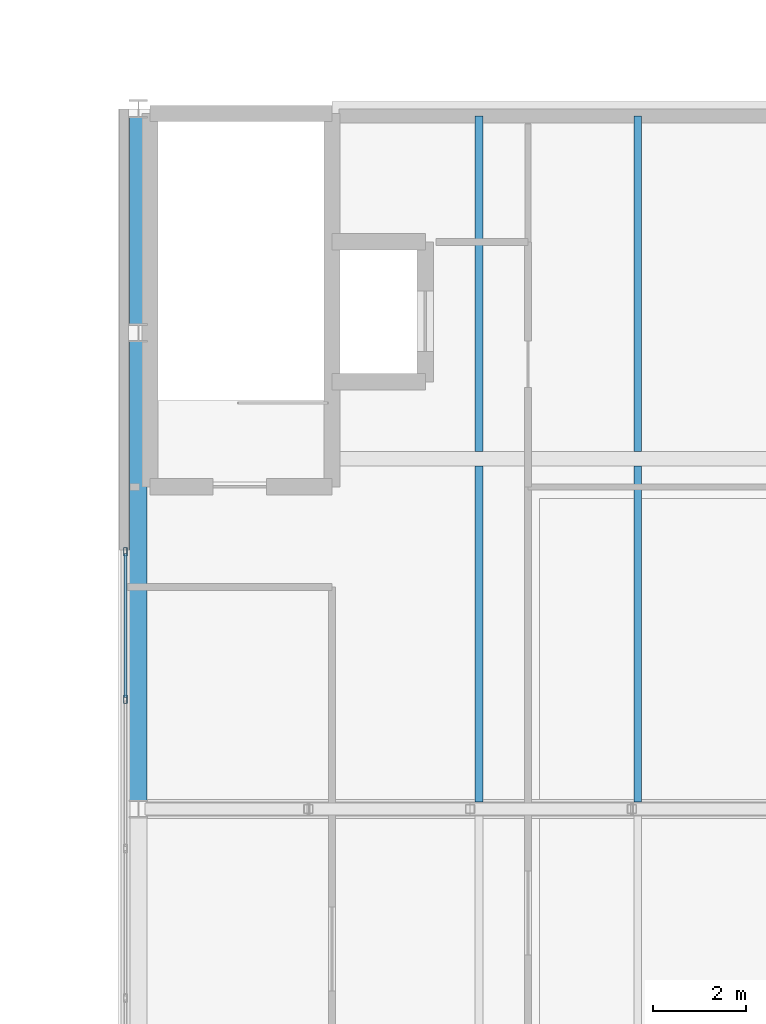
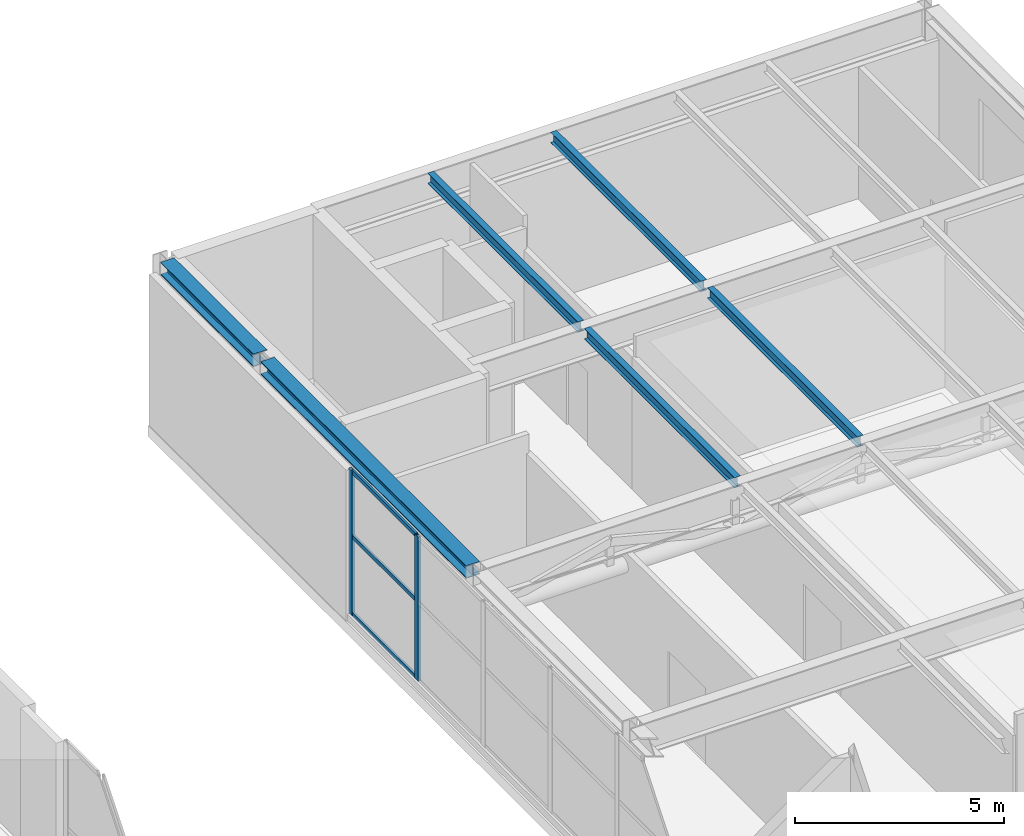
# One storey, part 15 of 27: 6 beams, 5 members, 1 element without a shape of its own.
"""IFC4 building model written with IfcOpenShell, lengths in metres."""

from ifc_helpers import new_model, si_unit, direction, frame, origin, origin_2d, place, context, subcontext, project, spatial, hollow_rectangle, i_section, extrude, material, layer, layer_set, material_profile, profile_set, type_object, element, aggregate, save


model = new_model("IFC4")

# Units and contexts
model_context = context("Model", 3, precision=1e-05, world=origin(), true_north=direction((0.0, 1.0)))
body_context = subcontext(model_context, "Body", "Model", "MODEL_VIEW")
ifc_project = project(units=[si_unit("LENGTHUNIT", "METRE"), si_unit("AREAUNIT", "SQUARE_METRE"), si_unit("VOLUMEUNIT", "CUBIC_METRE"), si_unit("PLANEANGLEUNIT", "RADIAN"), si_unit("MASSUNIT", "GRAM", prefix="KILO")], contexts=[model_context])

# Site, building, storey
site_placement = place(None, origin())
site = spatial("IfcSite", under=ifc_project, at=site_placement, CompositionType="ELEMENT")
building_placement = place(site_placement, origin())
building = spatial("IfcBuilding", under=site, at=building_placement, Name="Mersakhor Tower and Convention Hall", CompositionType="ELEMENT")
storey_placement = place(building_placement, frame((0.0, 0.0, 14.39990234375)))
storey = spatial("IfcBuildingStorey", under=building, at=storey_placement, Name="L03", CompositionType="ELEMENT", Elevation=14.39990234375)

# Beams
ifc_material_1 = material(Name="Steel S355", Category="steel")
ifc_material_profile_1 = material_profile(ifc_material_1, i_section(OverallWidth=0.165771484375, OverallDepth=0.306640625, WebThickness=0.006591796875, FlangeThickness=0.01171875, at=origin_2d()), Name="UB 305x165x46")
ifc_profile_set_1 = profile_set([ifc_material_profile_1], Name="Steel S355")
beam_type_1 = type_object("IfcBeamType", Name="BM-JST-305", PredefinedType="JOIST", material=ifc_profile_set_1)
for number, where, z_axis, x_axis, name in (
    (1, (62.800048828125, 33.40380859375, 4.646728515625), (0.0, 1.0, 0.0), (-1.0, 0.0, 0.0), "Convention L03 Composite Floor Joist CJ-5-62"),
    (2, (66.199951171875, 33.40380859375, 4.646728515625), (0.0, 1.0, 0.0), (-1.0, 0.0, 0.0), "Convention L03 Composite Floor Joist CJ-5-66"),
    (3, (62.800048828125, 40.90380859375, 4.646728515625), (0.0, 1.0, 0.0), (-1.0, 0.0, 0.0), "Convention L03 Composite Floor Joist CJ-6-62"),
    (4, (66.199951171875, 40.90380859375, 4.646728515625), (0.0, 1.0, 0.0), (-1.0, 0.0, 0.0), "Convention L03 Composite Floor Joist CJ-6-66"),
):
    element("IfcBeam", number, at=place(storey_placement, frame(where, z_axis=z_axis, x_axis=x_axis)), inside=storey, type_object=beam_type_1, Name=name, PredefinedType="JOIST", context=body_context, shape_type="SweptSolid", body=[
        extrude(i_section(OverallWidth=0.165771484375, OverallDepth=0.306640625, WebThickness=0.006591796875, FlangeThickness=0.01171875, at=origin_2d()), origin(), (0.0, 0.0, 1.0), 7.1923828125),
    ])
ifc_material_2 = material(Name="Steel S355", Category="steel")
ifc_material_profile_2 = material_profile(ifc_material_2, i_section(OverallWidth=0.374755859375, OverallDepth=0.37451171875, WebThickness=0.0166015625, FlangeThickness=0.027099609375, at=origin_2d()), Name="UC 356x368x202")
ifc_profile_set_2 = profile_set([ifc_material_profile_2], Name="Steel S355")
beam_type_2 = type_object("IfcBeamType", Name="BM-SPD-UC356", PredefinedType="SPANDREL", material=ifc_profile_set_2)
beam_1_placement = place(storey_placement, frame((55.5, 33.429931640625, 4.613037109375), z_axis=(0.0, 1.0, 0.0), x_axis=(-1.0, 0.0, 0.0)))
element("IfcBeam", 5, at=beam_1_placement, inside=storey, type_object=beam_type_2, Name="Convention L03 Edge Spandrel W5", PredefinedType="SPANDREL", context=body_context, shape_type="SweptSolid", body=[
    extrude(i_section(OverallWidth=0.374755859375, OverallDepth=0.37451171875, WebThickness=0.0166015625, FlangeThickness=0.027099609375, at=origin_2d()), origin(), (0.0, 0.0, 1.0), 9.840087890625),
])
beam_2_placement = place(storey_placement, frame((55.5, 43.6298828125, 4.613037109375), z_axis=(0.0, 1.0, 0.0), x_axis=(-1.0, 0.0, 0.0)))
element("IfcBeam", 6, at=beam_2_placement, inside=storey, type_object=beam_type_2, Name="Convention L03 Edge Spandrel W6", PredefinedType="SPANDREL", context=body_context, shape_type="SweptSolid", body=[
    extrude(i_section(OverallWidth=0.374755859375, OverallDepth=0.37451171875, WebThickness=0.0166015625, FlangeThickness=0.027099609375, at=origin_2d()), origin(), (0.0, 0.0, 1.0), 4.440185546875),
])

# Curtain wall, members
ifc_material_3 = material(Name="Dark solar low-E aluminium curtain wall", Category="aluminium")
ifc_layer = layer(ifc_material_3, 0.219970703125)
ifc_layer_set = layer_set([ifc_layer], Name="Dark solar low-E aluminium curtain wall")
curtain_wall_type = type_object("IfcCurtainWallType", Name="CW-SYS-07", PredefinedType="USERDEFINED", material=ifc_layer_set)
curtain_wall_placement = place(storey_placement, origin())
curtain_wall = element("IfcCurtainWall", 7, at=curtain_wall_placement, inside=storey, type_object=curtain_wall_type, Name="Convention L03 West Curtain Wall", ObjectType="CURTAIN WALL", PredefinedType="USERDEFINED")
ifc_material_4 = material(Name="Anodised aluminium EN AW-6063 T6", Category="aluminium")
ifc_material_profile_3 = material_profile(ifc_material_4, hollow_rectangle(XDim=0.080078125, YDim=0.179931640625, WallThickness=0.008056640625, at=origin_2d()), Name="RHS 180x80x8")
ifc_profile_set_3 = profile_set([ifc_material_profile_3], Name="Anodised aluminium EN AW-6063 T6")
member_type_1 = type_object("IfcMemberType", Name="CWM-180x80", PredefinedType="MULLION", material=ifc_profile_set_3)
member_1_placement = place(storey_placement, frame((55.22509765625, 35.60009765625, 0.2001953125), z_axis=(0.0, 0.0, 1.0), x_axis=(-1.0, 0.0, 0.0)))
member_1 = element("IfcMember", 8, at=member_1_placement, type_object=member_type_1, Name="CW-07 mullion 5", PredefinedType="MULLION", context=body_context, shape_type="SweptSolid", body=[
    extrude(hollow_rectangle(XDim=0.080078125, YDim=0.179931640625, WallThickness=0.008056640625, at=origin_2d()), origin(), (0.0, 0.0, 1.0), 4.219970703125),
])
member_2_placement = place(storey_placement, frame((55.22509765625, 38.760009765625, 0.2001953125), z_axis=(0.0, 0.0, 1.0), x_axis=(-1.0, 0.0, 0.0)))
member_2 = element("IfcMember", 9, at=member_2_placement, type_object=member_type_1, Name="CW-07 mullion 6", PredefinedType="MULLION", context=body_context, shape_type="SweptSolid", body=[
    extrude(hollow_rectangle(XDim=0.080078125, YDim=0.179931640625, WallThickness=0.008056640625, at=origin_2d()), origin(), (0.0, 0.0, 1.0), 4.219970703125),
])
ifc_material_5 = material(Name="Anodised aluminium EN AW-6063 T6", Category="aluminium")
ifc_material_profile_4 = material_profile(ifc_material_5, hollow_rectangle(XDim=0.06005859375, YDim=0.1201171875, WallThickness=0.0048828125, at=origin_2d()), Name="RHS 120x60x5")
ifc_profile_set_4 = profile_set([ifc_material_profile_4], Name="Anodised aluminium EN AW-6063 T6")
member_type_2 = type_object("IfcMemberType", Name="CWT-120x60", PredefinedType="USERDEFINED", material=ifc_profile_set_4)
member_3_placement = place(storey_placement, frame((55.22509765625, 35.639892578125, 0.22998046875), z_axis=(0.0, 1.0, 0.0), x_axis=(-1.0, 0.0, 0.0)))
member_3 = element("IfcMember", 10, at=member_3_placement, type_object=member_type_2, Name="CW-07 transom 5.1", ObjectType="TRANSOM", PredefinedType="USERDEFINED", context=body_context, shape_type="SweptSolid", body=[
    extrude(hollow_rectangle(XDim=0.06005859375, YDim=0.1201171875, WallThickness=0.0048828125, at=origin_2d()), origin(), (0.0, 0.0, 1.0), 3.080078125),
])
member_4_placement = place(storey_placement, frame((55.22509765625, 35.639892578125, 2.5), z_axis=(0.0, 1.0, 0.0), x_axis=(-1.0, 0.0, 0.0)))
member_4 = element("IfcMember", 11, at=member_4_placement, type_object=member_type_2, Name="CW-07 transom 5.2", ObjectType="TRANSOM", PredefinedType="USERDEFINED", context=body_context, shape_type="SweptSolid", body=[
    extrude(hollow_rectangle(XDim=0.06005859375, YDim=0.1201171875, WallThickness=0.0048828125, at=origin_2d()), origin(), (0.0, 0.0, 1.0), 3.080078125),
])
member_5_placement = place(storey_placement, frame((55.22509765625, 35.639892578125, 4.39013671875), z_axis=(0.0, 1.0, 0.0), x_axis=(-1.0, 0.0, 0.0)))
member_5 = element("IfcMember", 12, at=member_5_placement, type_object=member_type_2, Name="CW-07 transom 5.3", ObjectType="TRANSOM", PredefinedType="USERDEFINED", context=body_context, shape_type="SweptSolid", body=[
    extrude(hollow_rectangle(XDim=0.06005859375, YDim=0.1201171875, WallThickness=0.0048828125, at=origin_2d()), origin(), (0.0, 0.0, 1.0), 3.080078125),
])
aggregate(curtain_wall, [member_1, member_2, member_3, member_4, member_5])

save(model, "model.ifc")
